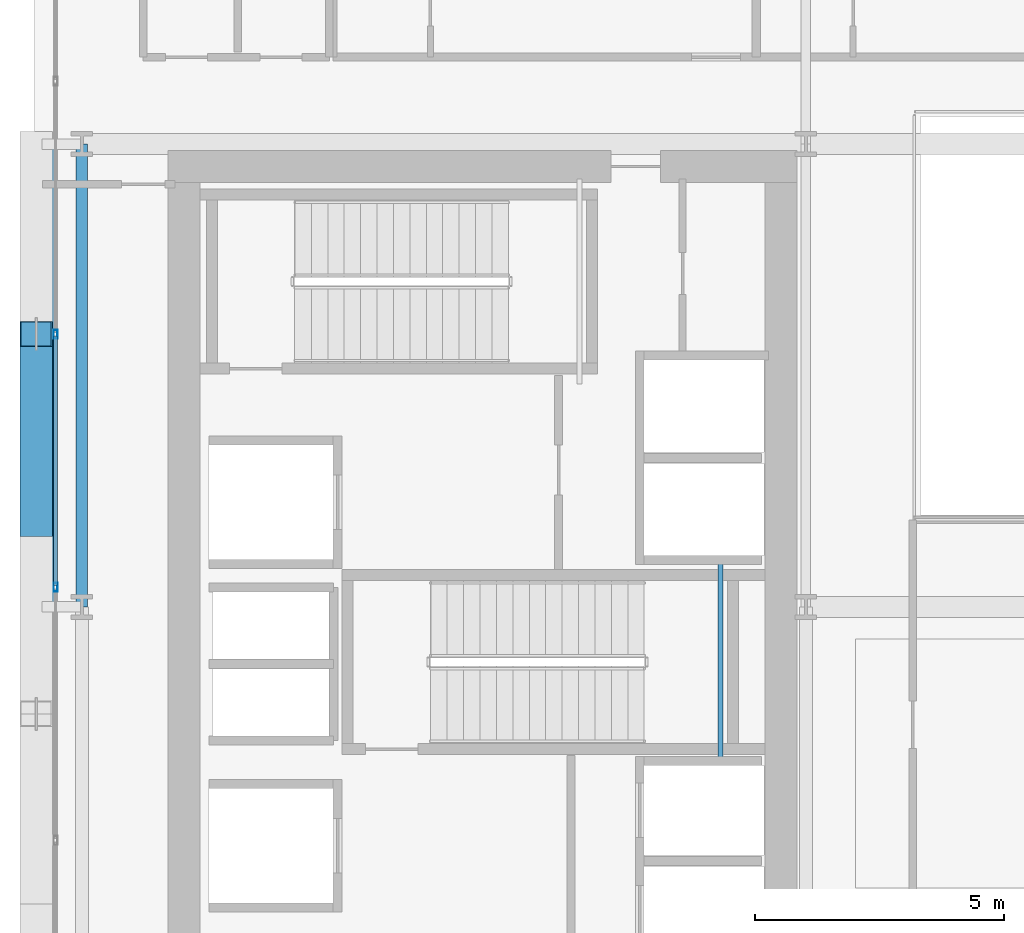
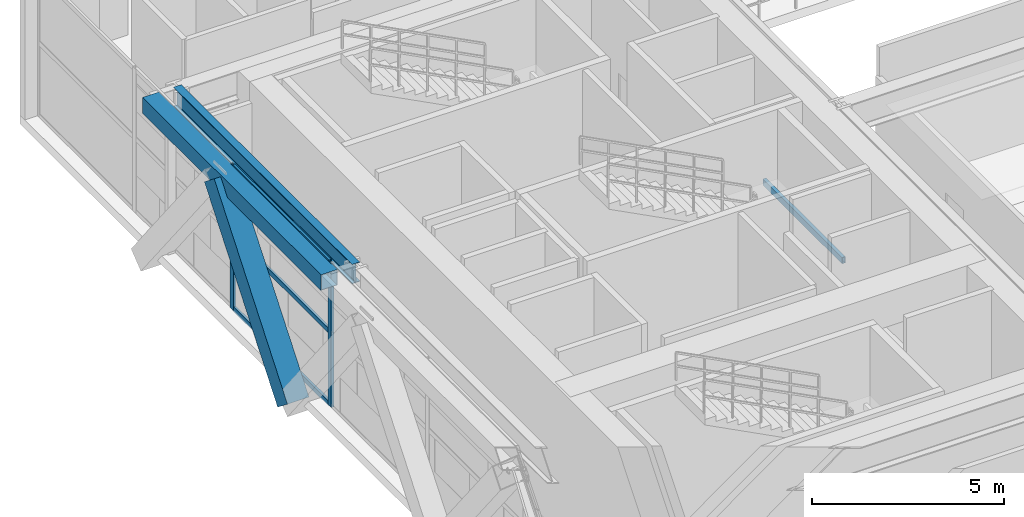
# One storey, part 8 of 35: 6 members, 3 beams, 1 element without a shape of its own.
"""IFC4 building model written with IfcOpenShell, lengths in metres."""

from ifc_helpers import new_model, si_unit, direction, frame, origin, origin_2d, place, context, subcontext, project, spatial, hollow_rectangle, i_section, extrude, source, transform, mapped, material, layer, layer_set, material_profile, profile_set, type_object, element, aggregate, save


model = new_model("IFC4")

# Units and contexts
model_context = context("Model", 3, precision=1e-05, world=origin(), true_north=direction((0.0, 1.0)))
body_context = subcontext(model_context, "Body", "Model", "MODEL_VIEW")
ifc_project = project(units=[si_unit("LENGTHUNIT", "METRE"), si_unit("AREAUNIT", "SQUARE_METRE"), si_unit("VOLUMEUNIT", "CUBIC_METRE"), si_unit("PLANEANGLEUNIT", "RADIAN"), si_unit("MASSUNIT", "GRAM", prefix="KILO")], contexts=[model_context])

# Site, building, storey
site_placement = place(None, origin())
site = spatial("IfcSite", under=ifc_project, at=site_placement, CompositionType="ELEMENT")
building_placement = place(site_placement, origin())
building = spatial("IfcBuilding", under=site, at=building_placement, Name="Ocotamira Hotel", CompositionType="ELEMENT")
storey_placement = place(building_placement, frame((0.0, 0.0, 158.39990234375)))
storey = spatial("IfcBuildingStorey", under=building, at=storey_placement, Name="L39", CompositionType="ELEMENT", Elevation=158.39990234375)

# Beams
ifc_material_1 = material(Name="Steel ASTM A500 Grade C", Category="steel")
ifc_material_profile_1 = material_profile(ifc_material_1, hollow_rectangle(XDim=0.10009765625, YDim=0.199951171875, WallThickness=0.008056640625, at=origin_2d()), Name="HSS200X100X8")
ifc_profile_set_1 = profile_set([ifc_material_profile_1], Name="Steel ASTM A500 Grade C")
beam_type_1 = type_object("IfcBeamType", Name="BM-STLDG-HSS200", PredefinedType="BEAM", material=ifc_profile_set_1)
shared_shape_1 = source(origin(), body_context, "Body", "SweptSolid", [
    extrude(hollow_rectangle(XDim=0.10009765625, YDim=0.199951171875, WallThickness=0.008056640625, at=origin_2d()), origin(), (0.0, 0.0, 1.0), 4.1201171875),
])
beam_1_placement = place(storey_placement, frame((21.780029296875, 24.97998046875, 2.10009765625), z_axis=(0.0, 1.0, 0.0), x_axis=(-1.0, 0.0, 0.0)))
element("IfcBeam", 1, at=beam_1_placement, inside=storey, type_object=beam_type_1, Name="L39 Stair ST-3 Landing Bearer 1", PredefinedType="BEAM", context=body_context, shape_type="MappedRepresentation", body=[
    mapped(shared_shape_1, transform((0.0, 0.0, 0.0), scale=1.0)),
])
ifc_material_2 = material(Name="Steel ASTM A992 Grade 50", Category="steel")
ifc_material_profile_2 = material_profile(ifc_material_2, i_section(OverallWidth=0.22998046875, OverallDepth=0.616943359375, WebThickness=0.01318359375, FlangeThickness=0.022216796875, FilletRadius=0.012939453125, at=origin_2d()), Name="W24X94")
ifc_profile_set_2 = profile_set([ifc_material_profile_2], Name="Steel ASTM A992 Grade 50")
beam_type_2 = type_object("IfcBeamType", Name="BM-PRIM-W24X94", PredefinedType="BEAM", material=ifc_profile_set_2)
shared_shape_2 = source(origin(), body_context, "Body", "SweptSolid", [
    extrude(i_section(OverallWidth=0.22998046875, OverallDepth=0.616943359375, WebThickness=0.01318359375, FlangeThickness=0.022216796875, FilletRadius=0.012939453125, at=origin_2d()), origin(), (0.0, 0.0, 1.0), 9.300048828125),
])
beam_2_placement = place(storey_placement, frame((8.949951171875, 28.14990234375, 4.26171875), z_axis=(0.0, 1.0, 0.0), x_axis=(-1.0, 0.0, 0.0)))
element("IfcBeam", 2, at=beam_2_placement, inside=storey, type_object=beam_type_2, Name="L39 Beam X8.95 Y28.15-37.45", PredefinedType="BEAM", context=body_context, shape_type="MappedRepresentation", body=[
    mapped(shared_shape_2, transform((0.0, 0.0, 0.0), scale=1.0)),
])
ifc_material_profile_3 = material_profile(ifc_material_1, hollow_rectangle(XDim=0.5, YDim=0.5, WallThickness=0.02001953125, at=origin_2d()), Name="HSS500X500X20")
ifc_profile_set_3 = profile_set([ifc_material_profile_3], Name="Steel ASTM A500 Grade C")
beam_type_3 = type_object("IfcBeamType", Name="BM-SPAN-HSS500", PredefinedType="USERDEFINED", material=ifc_profile_set_3)
shared_shape_3 = source(origin(), body_context, "Body", "SweptSolid", [
    extrude(hollow_rectangle(XDim=0.5, YDim=0.5, WallThickness=0.02001953125, at=origin_2d()), origin(), (0.0, 0.0, 1.0), 9.300048828125),
])
beam_3_placement = place(storey_placement, frame((8.14990234375, 28.14990234375, 4.320068359375), z_axis=(0.0, 1.0, 0.0), x_axis=(-1.0, 0.0, 0.0)))
element("IfcBeam", 3, at=beam_3_placement, inside=storey, type_object=beam_type_3, Name="L39 Edge Spandrel W Y28.15-37.45", ObjectType="SPANDREL", PredefinedType="USERDEFINED", context=body_context, shape_type="MappedRepresentation", body=[
    mapped(shared_shape_3, transform((0.0, 0.0, 0.0), scale=1.0)),
])

# Member
ifc_material_3 = material(Name="Pale-metal coated steel ASTM A913 Grade 65", Category="steel")
ifc_material_profile_4 = material_profile(ifc_material_3, hollow_rectangle(XDim=0.64990234375, YDim=0.64990234375, WallThickness=0.02197265625, at=origin_2d()), Name="BOX650X650X22")
ifc_profile_set_4 = profile_set([ifc_material_profile_4], Name="Pale-metal coated steel ASTM A913 Grade 65")
member_type_1 = type_object("IfcMemberType", Name="MEM-EXO-BOX650", PredefinedType="BRACE", material=ifc_profile_set_4)
shared_shape_4 = source(origin(), body_context, "Body", "SweptSolid", [
    extrude(hollow_rectangle(XDim=0.64990234375, YDim=0.64990234375, WallThickness=0.02197265625, at=origin_2d()), origin(), (0.0, 0.0, 1.0), 6.171630859375),
])
member_1_placement = place(storey_placement, frame((8.030029296875, 29.816650390625, -0.52978515625), z_axis=(0.0, 0.618427608591, 0.785841773471), x_axis=(-1.0, 0.0, 0.0)))
element("IfcMember", 4, at=member_1_placement, inside=storey, type_object=member_type_1, Name="L39 Exoskeleton Diagrid W2.1", PredefinedType="BRACE", context=body_context, shape_type="MappedRepresentation", body=[
    mapped(shared_shape_4, transform((0.0, 0.0, 0.0), scale=1.0)),
])

# Curtain wall, members
ifc_material_4 = material(Name="Anodised pale-metal aluminium and solar glass", Category="aluminium")
ifc_layer = layer(ifc_material_4, 0.239990234375)
ifc_layer_set = layer_set([ifc_layer], Name="Anodised pale-metal aluminium and solar glass")
curtain_wall_type = type_object("IfcCurtainWallType", Name="CW-SYS5-SKY", PredefinedType="NOTDEFINED", material=ifc_layer_set)
curtain_wall_placement = place(storey_placement, origin())
curtain_wall = element("IfcCurtainWall", 5, at=curtain_wall_placement, inside=storey, type_object=curtain_wall_type, Name="L39 Curtain Wall CW-5 CW-L39-W", PredefinedType="NOTDEFINED")
ifc_material_5 = material(Name="Anodised pale-metal aluminium 6063-T6", Category="aluminium")
ifc_material_profile_5 = material_profile(ifc_material_5, hollow_rectangle(XDim=0.074951171875, YDim=0.14990234375, WallThickness=0.006103515625, at=origin_2d()), Name="HSS150X75X6")
ifc_profile_set_5 = profile_set([ifc_material_profile_5], Name="Anodised pale-metal aluminium 6063-T6")
member_type_2 = type_object("IfcMemberType", Name="CWT-150X75", PredefinedType="USERDEFINED", material=ifc_profile_set_5)
shared_shape_5 = source(origin(), body_context, "Body", "SweptSolid", [
    extrude(hollow_rectangle(XDim=0.074951171875, YDim=0.14990234375, WallThickness=0.006103515625, at=origin_2d()), origin(), (0.0, 0.0, 1.0), 5.005859375),
])
member_2_placement = place(storey_placement, frame((8.419921875, 28.582763671875, 0.03759765625), z_axis=(0.0, 1.0, 0.0), x_axis=(-1.0, 0.0, 0.0)))
member_2 = element("IfcMember", 6, at=member_2_placement, type_object=member_type_2, Name="CW-5 transom 5.1", ObjectType="TRANSOM", PredefinedType="USERDEFINED", context=body_context, shape_type="MappedRepresentation", body=[
    mapped(shared_shape_5, transform((0.0, 0.0, 0.0), scale=1.0)),
])
member_3_placement = place(storey_placement, frame((8.419921875, 28.582763671875, 2.35009765625), z_axis=(0.0, 1.0, 0.0), x_axis=(-1.0, 0.0, 0.0)))
member_3 = element("IfcMember", 7, at=member_3_placement, type_object=member_type_2, Name="CW-5 transom 5.2", ObjectType="TRANSOM", PredefinedType="USERDEFINED", context=body_context, shape_type="MappedRepresentation", body=[
    mapped(shared_shape_5, transform((0.0, 0.0, 0.0), scale=1.0)),
])
member_4_placement = place(storey_placement, frame((8.419921875, 28.582763671875, 4.53271484375), z_axis=(0.0, 1.0, 0.0), x_axis=(-1.0, 0.0, 0.0)))
member_4 = element("IfcMember", 8, at=member_4_placement, type_object=member_type_2, Name="CW-5 transom 5.3", ObjectType="TRANSOM", PredefinedType="USERDEFINED", context=body_context, shape_type="MappedRepresentation", body=[
    mapped(shared_shape_5, transform((0.0, 0.0, 0.0), scale=1.0)),
])
ifc_material_profile_6 = material_profile(ifc_material_5, hollow_rectangle(XDim=0.080078125, YDim=0.179931640625, WallThickness=0.006103515625, at=origin_2d()), Name="HSS180X80X6")
ifc_profile_set_6 = profile_set([ifc_material_profile_6], Name="Anodised pale-metal aluminium 6063-T6")
member_type_3 = type_object("IfcMemberType", Name="CWM-180X75", PredefinedType="MULLION", material=ifc_profile_set_6)
shared_shape_6 = source(origin(), body_context, "Body", "SweptSolid", [
    extrude(hollow_rectangle(XDim=0.080078125, YDim=0.179931640625, WallThickness=0.006103515625, at=origin_2d()), origin(), (0.0, 0.0, 1.0), 4.570068359375),
])
member_5_placement = place(storey_placement, frame((8.419921875, 28.54296875, 0.0), z_axis=(0.0, 0.0, 1.0), x_axis=(-1.0, 0.0, 0.0)))
member_5 = element("IfcMember", 9, at=member_5_placement, type_object=member_type_3, Name="CW-5 mullion 5", PredefinedType="MULLION", context=body_context, shape_type="MappedRepresentation", body=[
    mapped(shared_shape_6, transform((0.0, 0.0, 0.0), scale=1.0)),
])
member_6_placement = place(storey_placement, frame((8.419921875, 33.628662109375, 0.0), z_axis=(0.0, 0.0, 1.0), x_axis=(-1.0, 0.0, 0.0)))
member_6 = element("IfcMember", 10, at=member_6_placement, type_object=member_type_3, Name="CW-5 mullion 6", PredefinedType="MULLION", context=body_context, shape_type="MappedRepresentation", body=[
    mapped(shared_shape_6, transform((0.0, 0.0, 0.0), scale=1.0)),
])
aggregate(curtain_wall, [member_5, member_6, member_2, member_3, member_4])

save(model, "model.ifc")
